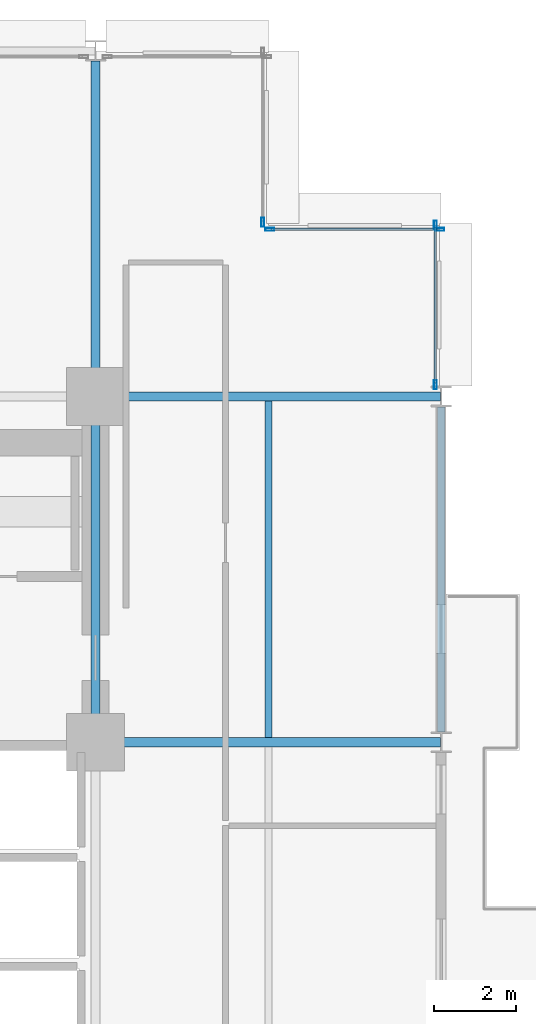
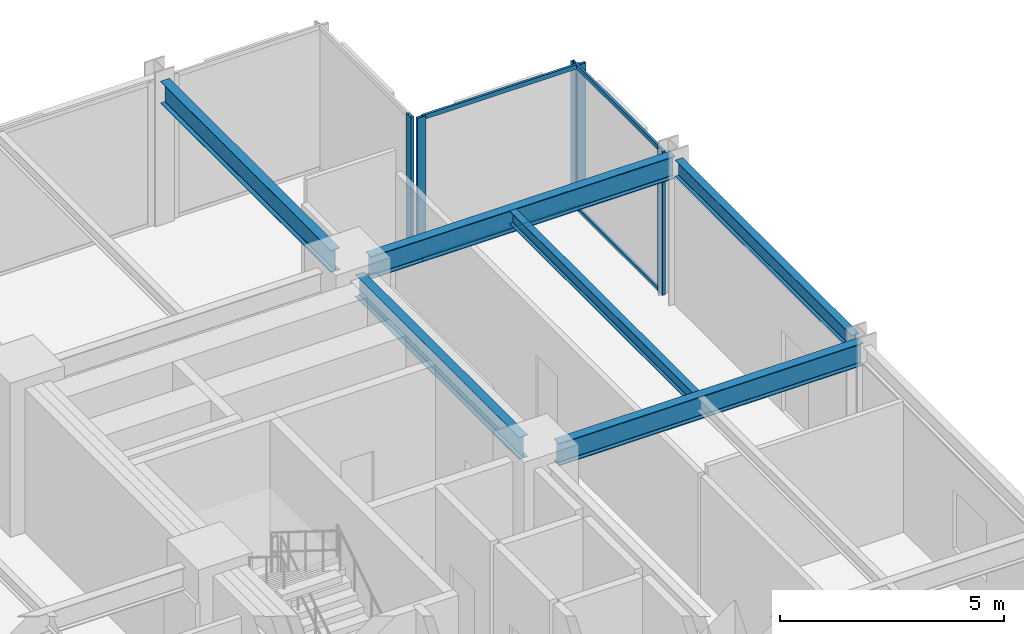
# One storey, part 16 of 25: 9 members, 6 beams, 3 elements without a shape of their own.
"""IFC4 building model written with IfcOpenShell, lengths in metres."""

from ifc_helpers import new_model, si_unit, direction, frame, origin, origin_2d, place, context, subcontext, project, spatial, hollow_rectangle, i_section, extrude, material, layer, layer_set, material_profile, profile_set, type_object, element, aggregate, save


model = new_model("IFC4")

# Units and contexts
model_context = context("Model", 3, precision=1e-05, world=origin(), true_north=direction((0.0, 1.0)))
body_context = subcontext(model_context, "Body", "Model", "MODEL_VIEW")
ifc_project = project(units=[si_unit("LENGTHUNIT", "METRE"), si_unit("AREAUNIT", "SQUARE_METRE"), si_unit("VOLUMEUNIT", "CUBIC_METRE"), si_unit("PLANEANGLEUNIT", "RADIAN"), si_unit("MASSUNIT", "GRAM", prefix="KILO")], contexts=[model_context])

# Site, building, storey
site_placement = place(None, origin())
site = spatial("IfcSite", under=ifc_project, at=site_placement, CompositionType="ELEMENT")
building_placement = place(site_placement, origin())
building = spatial("IfcBuilding", under=site, at=building_placement, Name="Nerrivon Quay Data Exchange", CompositionType="ELEMENT")
storey_placement = place(building_placement, frame((0.0, 0.0, 29.0)))
storey = spatial("IfcBuildingStorey", under=building, at=storey_placement, Name="L06", CompositionType="ELEMENT", Elevation=29.0)

# Beams
ifc_material_1 = material(Name="Steel Grade 350", Category="steel")
ifc_material_profile_1 = material_profile(ifc_material_1, i_section(OverallWidth=0.22900390625, OverallDepth=0.612060546875, WebThickness=0.011962890625, FlangeThickness=0.01953125, FilletRadius=0.013916015625, at=origin_2d()), Name="610UB125")
ifc_profile_set_1 = profile_set([ifc_material_profile_1], Name="Steel Grade 350")
beam_type_1 = type_object("IfcBeamType", Name="BM-G1-610UB125", PredefinedType="BEAM", material=ifc_profile_set_1)
for number, where, z_axis, x_axis, name in (
    (1, (17.340087890625, 33.60009765625, 3.618896484375), (1.0, 0.0, 0.0), (0.0, 1.0, 0.0), "L06 EW Girder Y=33.6 (16.8..25.2)"),
    (2, (17.340087890625, 42.0, 3.618896484375), (1.0, 0.0, 0.0), (0.0, 1.0, 0.0), "L06 EW Girder Y=42.0 (16.8..25.2)"),
):
    element("IfcBeam", number, at=place(storey_placement, frame(where, z_axis=z_axis, x_axis=x_axis)), inside=storey, type_object=beam_type_1, Name=name, PredefinedType="BEAM", context=body_context, shape_type="SweptSolid", body=[
        extrude(i_section(OverallWidth=0.22900390625, OverallDepth=0.612060546875, WebThickness=0.011962890625, FlangeThickness=0.01953125, FilletRadius=0.013916015625, at=origin_2d()), origin(), (0.0, 0.0, 1.0), 7.845947265625),
    ])
ifc_material_profile_2 = material_profile(ifc_material_1, i_section(OverallWidth=0.22802734375, OverallDepth=0.60205078125, WebThickness=0.010498046875, FlangeThickness=0.014892578125, FilletRadius=0.013916015625, at=origin_2d()), Name="610UB101")
ifc_profile_set_2 = profile_set([ifc_material_profile_2], Name="Steel Grade 350")
beam_type_2 = type_object("IfcBeamType", Name="BM-G2-610UB101", PredefinedType="BEAM", material=ifc_profile_set_2)
beam_1_placement = place(storey_placement, frame((16.800048828125, 34.139892578125, 3.6240234375), z_axis=(0.0, 1.0, 0.0), x_axis=(-1.0, 0.0, 0.0)))
element("IfcBeam", 3, at=beam_1_placement, inside=storey, type_object=beam_type_2, Name="L06 NS Girder X=16.8 (33.6..42.0)", PredefinedType="BEAM", context=body_context, shape_type="SweptSolid", body=[
    extrude(i_section(OverallWidth=0.22802734375, OverallDepth=0.60205078125, WebThickness=0.010498046875, FlangeThickness=0.014892578125, FilletRadius=0.013916015625, at=origin_2d()), origin(), (0.0, 0.0, 1.0), 7.320068359375),
])
beam_2_placement = place(storey_placement, frame((16.800048828125, 42.5400390625, 3.6240234375), z_axis=(0.0, 1.0, 0.0), x_axis=(-1.0, 0.0, 0.0)))
element("IfcBeam", 4, at=beam_2_placement, inside=storey, type_object=beam_type_2, Name="L06 NS Girder X=16.8 (42.0..50.4)", PredefinedType="BEAM", context=body_context, shape_type="SweptSolid", body=[
    extrude(i_section(OverallWidth=0.22802734375, OverallDepth=0.60205078125, WebThickness=0.010498046875, FlangeThickness=0.014892578125, FilletRadius=0.013916015625, at=origin_2d()), origin(), (0.0, 0.0, 1.0), 7.60986328125),
])
ifc_material_profile_3 = material_profile(ifc_material_1, i_section(OverallWidth=0.172119140625, OverallDepth=0.35888671875, WebThickness=0.008056640625, FlangeThickness=0.012939453125, FilletRadius=0.011474609375, at=origin_2d()), Name="360UB56.7")
ifc_profile_set_3 = profile_set([ifc_material_profile_3], Name="Steel Grade 350")
beam_type_3 = type_object("IfcBeamType", Name="BM-J3-360UB57", PredefinedType="JOIST", material=ifc_profile_set_3)
beam_3_placement = place(storey_placement, frame((21.0, 33.714599609375, 3.74560546875), z_axis=(0.0, 1.0, 0.0), x_axis=(-1.0, 0.0, 0.0)))
element("IfcBeam", 5, at=beam_3_placement, inside=storey, type_object=beam_type_3, Name="L06 Secondary Joist X=21.0 (33.6..42.0)", PredefinedType="JOIST", context=body_context, shape_type="SweptSolid", body=[
    extrude(i_section(OverallWidth=0.172119140625, OverallDepth=0.35888671875, WebThickness=0.008056640625, FlangeThickness=0.012939453125, FilletRadius=0.011474609375, at=origin_2d()), origin(), (0.0, 0.0, 1.0), 8.1708984375),
])
ifc_material_profile_4 = material_profile(ifc_material_1, i_section(OverallWidth=0.18994140625, OverallDepth=0.4541015625, WebThickness=0.008544921875, FlangeThickness=0.0126953125, FilletRadius=0.011474609375, at=origin_2d()), Name="460UB67.1")
ifc_profile_set_4 = profile_set([ifc_material_profile_4], Name="Steel Grade 350")
beam_type_4 = type_object("IfcBeamType", Name="BM-SP1-460UB67", PredefinedType="SPANDREL", material=ifc_profile_set_4)
beam_4_placement = place(storey_placement, frame((25.199951171875, 33.85009765625, 3.697998046875), z_axis=(0.0, 1.0, 0.0), x_axis=(-1.0, 0.0, 0.0)))
element("IfcBeam", 6, at=beam_4_placement, inside=storey, type_object=beam_type_4, Name="L06 NS Girder X=25.2 (33.6..42.0)", PredefinedType="SPANDREL", context=body_context, shape_type="SweptSolid", body=[
    extrude(i_section(OverallWidth=0.18994140625, OverallDepth=0.4541015625, WebThickness=0.008544921875, FlangeThickness=0.0126953125, FilletRadius=0.011474609375, at=origin_2d()), origin(), (0.0, 0.0, 1.0), 7.89990234375),
])

# Curtain wall, member
ifc_material_2 = material(Name="Anodised aluminium 6063-T6", Category="aluminium")
ifc_layer = layer(ifc_material_2, 0.219970703125)
ifc_layer_set = layer_set([ifc_layer], Name="Anodised aluminium 6063-T6")
curtain_wall_type = type_object("IfcCurtainWallType", Name="CW-SYS-01", PredefinedType="NOTDEFINED", material=ifc_layer_set)
curtain_wall_1_placement = place(storey_placement, origin())
curtain_wall_1 = element("IfcCurtainWall", 7, at=curtain_wall_1_placement, inside=storey, type_object=curtain_wall_type, Name="L06 Unitised Curtain Wall 23", PredefinedType="NOTDEFINED")
ifc_material_profile_5 = material_profile(ifc_material_2, hollow_rectangle(XDim=0.074951171875, YDim=0.219970703125, WallThickness=0.00390625, at=origin_2d()), Name="ALU-MULL-220x75")
ifc_profile_set_5 = profile_set([ifc_material_profile_5], Name="Anodised aluminium 6063-T6")
member_type_1 = type_object("IfcMemberType", Name="CWM-220x75", PredefinedType="MULLION", material=ifc_profile_set_5)
member_1_placement = place(storey_placement, frame((20.860107421875, 46.237548828125, 0.0), z_axis=(0.0, 0.0, 1.0), x_axis=(1.0, 0.0, 0.0)))
member_1 = element("IfcMember", 8, at=member_1_placement, type_object=member_type_1, Name="CW01 mullion 2", PredefinedType="MULLION", context=body_context, shape_type="SweptSolid", body=[
    extrude(hollow_rectangle(XDim=0.074951171875, YDim=0.219970703125, WallThickness=0.00390625, at=origin_2d()), origin(), (0.0, 0.0, 1.0), 3.925048828125),
])
aggregate(curtain_wall_1, [member_1])

# Curtain wall, members
curtain_wall_2_placement = place(storey_placement, origin())
curtain_wall_2 = element("IfcCurtainWall", 9, at=curtain_wall_2_placement, inside=storey, type_object=curtain_wall_type, Name="L06 Unitised Curtain Wall 24", PredefinedType="NOTDEFINED")
member_2_placement = place(storey_placement, frame((21.03759765625, 46.06005859375, 0.0), z_axis=(0.0, 0.0, 1.0), x_axis=(0.0, 1.0, 0.0)))
member_2 = element("IfcMember", 10, at=member_2_placement, type_object=member_type_1, Name="CW01 mullion 1", PredefinedType="MULLION", context=body_context, shape_type="SweptSolid", body=[
    extrude(hollow_rectangle(XDim=0.074951171875, YDim=0.219970703125, WallThickness=0.00390625, at=origin_2d()), origin(), (0.0, 0.0, 1.0), 3.925048828125),
])
member_3_placement = place(storey_placement, frame((25.16259765625, 46.06005859375, 0.0), z_axis=(0.0, 0.0, 1.0), x_axis=(0.0, 1.0, 0.0)))
member_3 = element("IfcMember", 11, at=member_3_placement, type_object=member_type_1, Name="CW01 mullion 2", PredefinedType="MULLION", context=body_context, shape_type="SweptSolid", body=[
    extrude(hollow_rectangle(XDim=0.074951171875, YDim=0.219970703125, WallThickness=0.00390625, at=origin_2d()), origin(), (0.0, 0.0, 1.0), 3.925048828125),
])

curtain_wall_3_placement = place(storey_placement, origin())
curtain_wall_3 = element("IfcCurtainWall", 12, at=curtain_wall_3_placement, inside=storey, type_object=curtain_wall_type, Name="L06 Unitised Curtain Wall 25", PredefinedType="NOTDEFINED")
member_4_placement = place(storey_placement, frame((25.06005859375, 46.16259765625, 0.0), z_axis=(0.0, 0.0, 1.0), x_axis=(1.0, 0.0, 0.0)))
member_4 = element("IfcMember", 13, at=member_4_placement, type_object=member_type_1, Name="CW01 mullion 1", PredefinedType="MULLION", context=body_context, shape_type="SweptSolid", body=[
    extrude(hollow_rectangle(XDim=0.074951171875, YDim=0.219970703125, WallThickness=0.00390625, at=origin_2d()), origin(), (0.0, 0.0, 1.0), 3.925048828125),
])
member_5_placement = place(storey_placement, frame((25.06005859375, 42.28759765625, 0.0), z_axis=(0.0, 0.0, 1.0), x_axis=(1.0, 0.0, 0.0)))
member_5 = element("IfcMember", 14, at=member_5_placement, type_object=member_type_1, Name="CW01 mullion 2", PredefinedType="MULLION", context=body_context, shape_type="SweptSolid", body=[
    extrude(hollow_rectangle(XDim=0.074951171875, YDim=0.219970703125, WallThickness=0.00390625, at=origin_2d()), origin(), (0.0, 0.0, 1.0), 3.925048828125),
])

# Member
ifc_material_profile_6 = material_profile(ifc_material_2, hollow_rectangle(XDim=0.06005859375, YDim=0.1201171875, WallThickness=0.003173828125, at=origin_2d()), Name="ALU-TRAN-120x60")
ifc_profile_set_6 = profile_set([ifc_material_profile_6], Name="Anodised aluminium 6063-T6")
member_type_2 = type_object("IfcMemberType", Name="CWT-120x60", PredefinedType="USERDEFINED", material=ifc_profile_set_6)
member_6_placement = place(storey_placement, frame((21.074951171875, 46.06005859375, 0.032470703125), z_axis=(1.0, 0.0, 0.0), x_axis=(0.0, 1.0, 0.0)))
member_6 = element("IfcMember", 15, at=member_6_placement, type_object=member_type_2, Name="CW01 transom 1.1", ObjectType="TRANSOM", PredefinedType="USERDEFINED", context=body_context, shape_type="SweptSolid", body=[
    extrude(hollow_rectangle(XDim=0.06005859375, YDim=0.1201171875, WallThickness=0.003173828125, at=origin_2d()), origin(), (0.0, 0.0, 1.0), 4.050048828125),
])

member_7_placement = place(storey_placement, frame((21.074951171875, 46.06005859375, 3.892578125), z_axis=(1.0, 0.0, 0.0), x_axis=(0.0, 1.0, 0.0)))
member_7 = element("IfcMember", 16, at=member_7_placement, type_object=member_type_2, Name="CW01 transom 1.2", ObjectType="TRANSOM", PredefinedType="USERDEFINED", context=body_context, shape_type="SweptSolid", body=[
    extrude(hollow_rectangle(XDim=0.06005859375, YDim=0.1201171875, WallThickness=0.003173828125, at=origin_2d()), origin(), (0.0, 0.0, 1.0), 4.050048828125),
])

aggregate(curtain_wall_2, [member_2, member_3, member_6, member_7])

member_8_placement = place(storey_placement, frame((25.06005859375, 46.125, 0.032470703125), z_axis=(0.0, -1.0, 0.0), x_axis=(1.0, 0.0, 0.0)))
member_8 = element("IfcMember", 17, at=member_8_placement, type_object=member_type_2, Name="CW01 transom 1.1", ObjectType="TRANSOM", PredefinedType="USERDEFINED", context=body_context, shape_type="SweptSolid", body=[
    extrude(hollow_rectangle(XDim=0.06005859375, YDim=0.1201171875, WallThickness=0.003173828125, at=origin_2d()), origin(), (0.0, 0.0, 1.0), 3.800048828125),
])

member_9_placement = place(storey_placement, frame((25.06005859375, 46.125, 3.892578125), z_axis=(0.0, -1.0, 0.0), x_axis=(1.0, 0.0, 0.0)))
member_9 = element("IfcMember", 18, at=member_9_placement, type_object=member_type_2, Name="CW01 transom 1.2", ObjectType="TRANSOM", PredefinedType="USERDEFINED", context=body_context, shape_type="SweptSolid", body=[
    extrude(hollow_rectangle(XDim=0.06005859375, YDim=0.1201171875, WallThickness=0.003173828125, at=origin_2d()), origin(), (0.0, 0.0, 1.0), 3.800048828125),
])

aggregate(curtain_wall_3, [member_4, member_5, member_8, member_9])

save(model, "model.ifc")
